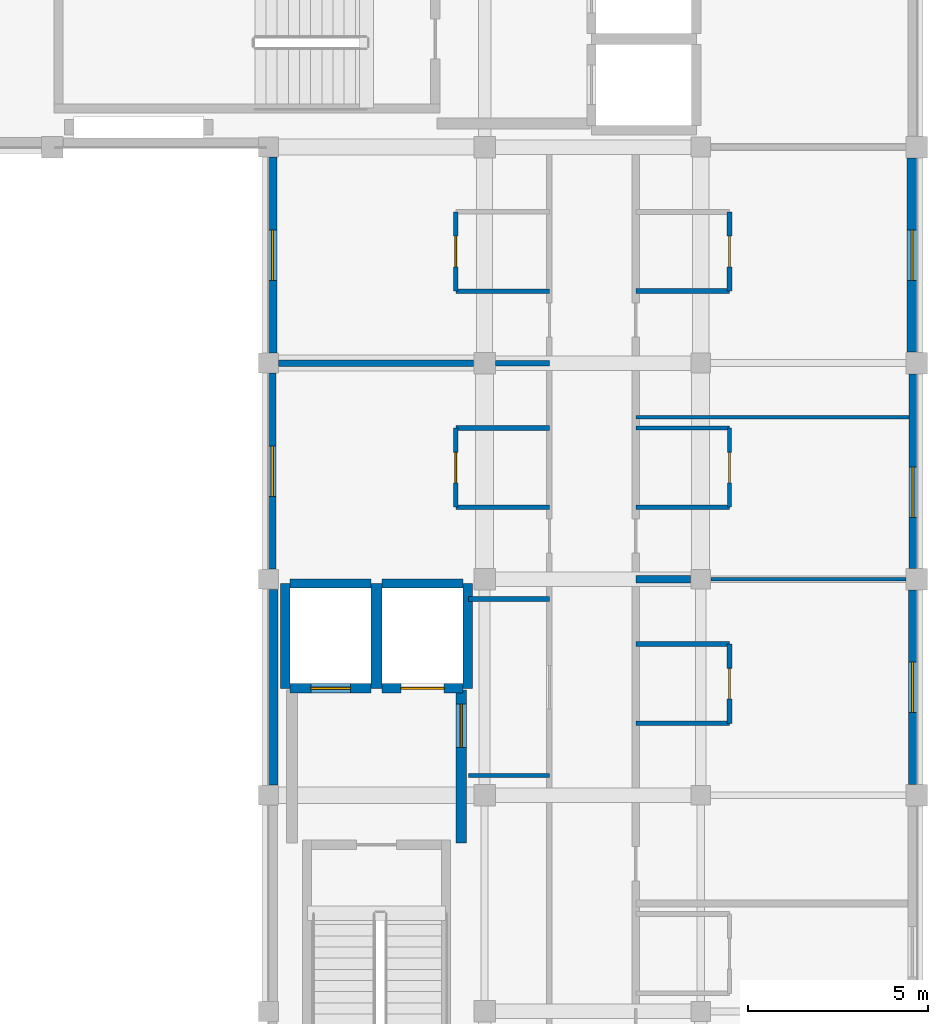
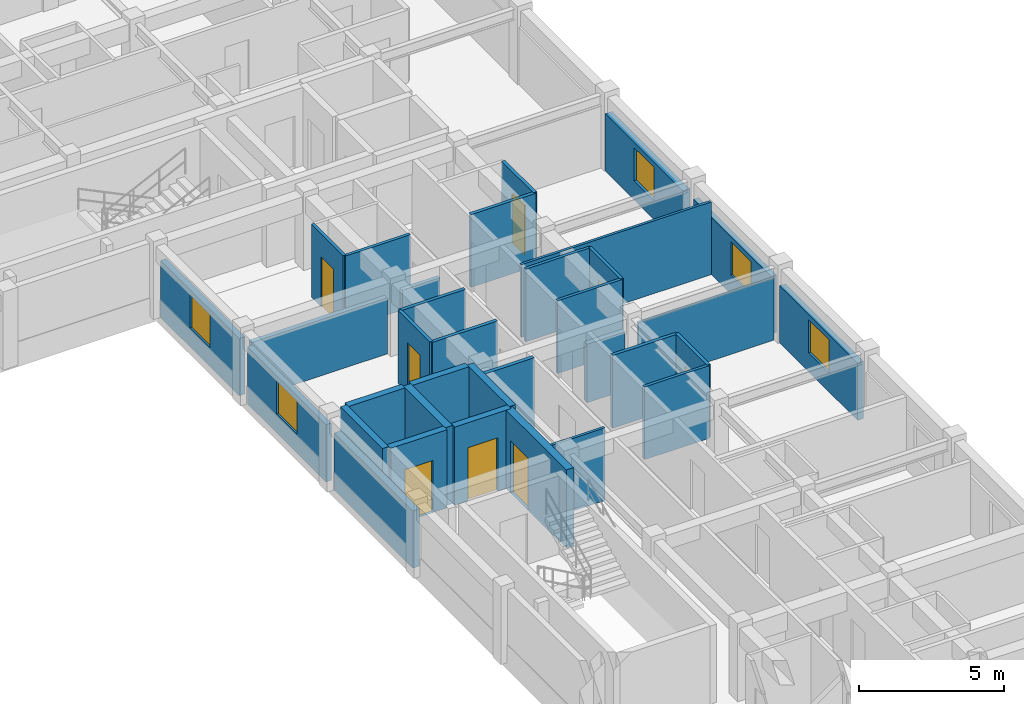
# One storey, part 7 of 21: 34 walls, 8 doors, 5 windows, 13 openings.
"""IFC4 building model written with IfcOpenShell, lengths in metres."""

from ifc_helpers import new_model, si_unit, direction, frame, frame_2d, origin, place, context, subcontext, project, spatial, rectangle, extrude, material, layer, layer_set, type_object, element, fill, save


model = new_model("IFC4")

# Units and contexts
model_context = context("Model", 3, precision=1e-05, world=origin(), true_north=direction((0.0, 1.0)))
body_context = subcontext(model_context, "Body", "Model", "MODEL_VIEW")
ifc_project = project(units=[si_unit("LENGTHUNIT", "METRE"), si_unit("AREAUNIT", "SQUARE_METRE"), si_unit("VOLUMEUNIT", "CUBIC_METRE"), si_unit("PLANEANGLEUNIT", "RADIAN"), si_unit("MASSUNIT", "GRAM", prefix="KILO"), si_unit("THERMODYNAMICTEMPERATUREUNIT", "KELVIN"), si_unit("POWERUNIT", "WATT")], contexts=[model_context])

# Site, building, storey
site_placement = place(None, origin())
site = spatial("IfcSite", under=ifc_project, at=site_placement, CompositionType="ELEMENT")
building_placement = place(site_placement, origin())
building = spatial("IfcBuilding", under=site, at=building_placement, Name="Phaisarnlok Congress Hotel", CompositionType="ELEMENT")
storey_placement = place(building_placement, frame((0.0, 0.0, 34.800048828125)))
storey = spatial("IfcBuildingStorey", under=building, at=storey_placement, Name="L08", CompositionType="ELEMENT", Elevation=34.800048828125)

# Wall, opening, window
ifc_material_1 = material(Name="Concrete C40/50", Category="concrete")
ifc_layer_1 = layer(ifc_material_1, 0.2099609375, Name="Concrete C40/50")
ifc_layer_set_1 = layer_set([ifc_layer_1], Name="Concrete C40/50")
wall_type_1 = type_object("IfcWallType", Name="WL-EXT-210", PredefinedType="SOLIDWALL", material=ifc_layer_set_1)
wall_1_placement = place(storey_placement, frame((179.89501953125, 96.304931640625, 0.0), z_axis=(0.0, 0.0, 1.0), x_axis=(0.0, 1.0, 0.0)))
wall_1 = element("IfcWall", 1, at=wall_1_placement, inside=storey, type_object=wall_type_1, Name="Exterior wall EW-07 (L08)", PredefinedType="SOLIDWALL", context=body_context, shape_type="SweptSolid", body=[
    extrude(rectangle(XDim=5.39013671875, YDim=0.2099609375, at=frame_2d((2.695068359375, 0.0))), origin(), (0.0, 0.0, 1.0), 2.419921875),
])
opening_1_placement = place(wall_1_placement, frame((1.406982421875, 0.0, 0.800048828125)))
opening_1 = element("IfcOpeningElement", 2, at=opening_1_placement, cuts=wall_1, Name="Opening W-13", PredefinedType="OPENING", context=body_context, shape_type="SweptSolid", body=[
    extrude(rectangle(XDim=1.39990234375, YDim=1.39990234375, at=frame_2d((0.699951171875, 0.699951171875))), frame((0.0, 0.114990234375, 0.0), z_axis=(0.0, -1.0, 0.0), x_axis=(1.0, 0.0, 0.0)), (0.0, 0.0, 1.0), 0.22998046875),
])
ifc_material_2 = material(Name="Thermally Broken Aluminium & Low-E Double Glazing", Category="aluminium")
window_type = type_object("IfcWindowType", Name="WIN-POD-1400", PartitioningType="SINGLE_PANEL", PredefinedType="WINDOW", material=ifc_material_2)
window_1_placement = place(opening_1_placement, origin())
window_1 = element("IfcWindow", 3, at=window_1_placement, inside=storey, type_object=window_type, Name="Guestroom window W-13 (L08)", OverallHeight=1.39990234375, OverallWidth=1.39990234375, PartitioningType="SINGLE_PANEL", PredefinedType="WINDOW", context=body_context, shape_type="SweptSolid", body=[
    extrude(rectangle(XDim=1.39990234375, YDim=1.39990234375, at=frame_2d((0.699951171875, 0.699951171875))), frame((0.0, 0.030029296875, 0.0), z_axis=(0.0, -1.0, 0.0), x_axis=(1.0, 0.0, 0.0)), (0.0, 0.0, 1.0), 0.06005859375),
])
fill(opening_1, window_1)

wall_2_placement = place(storey_placement, frame((162.10498046875, 101.719970703125, 0.0), z_axis=(0.0, 0.0, 1.0), x_axis=(0.0, -1.0, 0.0)))
wall_2 = element("IfcWall", 4, at=wall_2_placement, inside=storey, type_object=wall_type_1, Name="Exterior wall EW-07 (L08)", PredefinedType="SOLIDWALL", context=body_context, shape_type="SweptSolid", body=[
    extrude(rectangle(XDim=5.43994140625, YDim=0.2099609375, at=frame_2d((2.719970703125, 0.0))), origin(), (0.0, 0.0, 1.0), 2.419921875),
])
opening_2_placement = place(wall_2_placement, frame((2.02001953125, 0.0, 0.800048828125)))
opening_2 = element("IfcOpeningElement", 5, at=opening_2_placement, cuts=wall_2, Name="Opening W-13", PredefinedType="OPENING", context=body_context, shape_type="SweptSolid", body=[
    extrude(rectangle(XDim=1.39990234375, YDim=1.39990234375, at=frame_2d((0.699951171875, 0.699951171875))), frame((0.0, 0.114990234375, 0.0), z_axis=(0.0, -1.0, 0.0), x_axis=(1.0, 0.0, 0.0)), (0.0, 0.0, 1.0), 0.22998046875),
])
window_2_placement = place(opening_2_placement, origin())
window_2 = element("IfcWindow", 6, at=window_2_placement, inside=storey, type_object=window_type, Name="Guestroom window W-13 (L08)", OverallHeight=1.39990234375, OverallWidth=1.39990234375, PartitioningType="SINGLE_PANEL", PredefinedType="WINDOW", context=body_context, shape_type="SweptSolid", body=[
    extrude(rectangle(XDim=1.39990234375, YDim=1.39990234375, at=frame_2d((0.699951171875, 0.699951171875))), frame((0.0, 0.030029296875, 0.0), z_axis=(0.0, -1.0, 0.0), x_axis=(1.0, 0.0, 0.0)), (0.0, 0.0, 1.0), 0.06005859375),
])
fill(opening_2, window_2)

ifc_layer_2 = layer(ifc_material_1, 0.22998046875, Name="Concrete C40/50")
ifc_layer_set_2 = layer_set([ifc_layer_2], Name="Concrete C40/50")
wall_type_2 = type_object("IfcWallType", Name="WL-EXT-230", PredefinedType="SOLIDWALL", material=ifc_layer_set_2)
wall_3_placement = place(storey_placement, frame((179.885009765625, 90.304931640625, 0.0), z_axis=(0.0, 0.0, 1.0), x_axis=(0.0, 1.0, 0.0)))
wall_3 = element("IfcWall", 7, at=wall_3_placement, inside=storey, type_object=wall_type_2, Name="Exterior wall EW-06 (L08)", PredefinedType="SOLIDWALL", context=body_context, shape_type="SweptSolid", body=[
    extrude(rectangle(XDim=5.39013671875, YDim=0.22998046875, at=frame_2d((2.695068359375, 0.0))), origin(), (0.0, 0.0, 1.0), 2.419921875),
])
opening_3_placement = place(wall_3_placement, frame((1.9951171875, 0.0, 0.800048828125)))
opening_3 = element("IfcOpeningElement", 8, at=opening_3_placement, cuts=wall_3, Name="Opening W-13", PredefinedType="OPENING", context=body_context, shape_type="SweptSolid", body=[
    extrude(rectangle(XDim=1.39990234375, YDim=1.39990234375, at=frame_2d((0.699951171875, 0.699951171875))), frame((0.0, 0.125, 0.0), z_axis=(0.0, -1.0, 0.0), x_axis=(1.0, 0.0, 0.0)), (0.0, 0.0, 1.0), 0.25),
])
window_3_placement = place(opening_3_placement, origin())
window_3 = element("IfcWindow", 9, at=window_3_placement, inside=storey, type_object=window_type, Name="Guestroom window W-13 (L08)", OverallHeight=1.39990234375, OverallWidth=1.39990234375, PartitioningType="SINGLE_PANEL", PredefinedType="WINDOW", context=body_context, shape_type="SweptSolid", body=[
    extrude(rectangle(XDim=1.39990234375, YDim=1.39990234375, at=frame_2d((0.699951171875, 0.699951171875))), frame((0.0, 0.030029296875, 0.0), z_axis=(0.0, -1.0, 0.0), x_axis=(1.0, 0.0, 0.0)), (0.0, 0.0, 1.0), 0.06005859375),
])
fill(opening_3, window_3)

wall_4_placement = place(storey_placement, frame((162.114990234375, 107.719970703125, 0.0), z_axis=(0.0, 0.0, 1.0), x_axis=(0.0, -1.0, 0.0)))
wall_4 = element("IfcWall", 10, at=wall_4_placement, inside=storey, type_object=wall_type_2, Name="Exterior wall EW-06 (L08)", PredefinedType="SOLIDWALL", context=body_context, shape_type="SweptSolid", body=[
    extrude(rectangle(XDim=5.43994140625, YDim=0.22998046875, at=frame_2d((2.719970703125, 0.0))), origin(), (0.0, 0.0, 1.0), 2.419921875),
])
opening_4_placement = place(wall_4_placement, frame((2.02001953125, 0.0, 0.800048828125)))
opening_4 = element("IfcOpeningElement", 11, at=opening_4_placement, cuts=wall_4, Name="Opening W-13", PredefinedType="OPENING", context=body_context, shape_type="SweptSolid", body=[
    extrude(rectangle(XDim=1.39990234375, YDim=1.39990234375, at=frame_2d((0.699951171875, 0.699951171875))), frame((0.0, 0.125, 0.0), z_axis=(0.0, -1.0, 0.0), x_axis=(1.0, 0.0, 0.0)), (0.0, 0.0, 1.0), 0.25),
])
window_4_placement = place(opening_4_placement, origin())
window_4 = element("IfcWindow", 12, at=window_4_placement, inside=storey, type_object=window_type, Name="Guestroom window W-13 (L08)", OverallHeight=1.39990234375, OverallWidth=1.39990234375, PartitioningType="SINGLE_PANEL", PredefinedType="WINDOW", context=body_context, shape_type="SweptSolid", body=[
    extrude(rectangle(XDim=1.39990234375, YDim=1.39990234375, at=frame_2d((0.699951171875, 0.699951171875))), frame((0.0, 0.030029296875, 0.0), z_axis=(0.0, -1.0, 0.0), x_axis=(1.0, 0.0, 0.0)), (0.0, 0.0, 1.0), 0.06005859375),
])
fill(opening_4, window_4)

ifc_layer_3 = layer(ifc_material_1, 0.27001953125, Name="Concrete C40/50")
ifc_layer_set_3 = layer_set([ifc_layer_3], Name="Concrete C40/50")
wall_type_3 = type_object("IfcWallType", Name="WL-EXT-270", PredefinedType="SOLIDWALL", material=ifc_layer_set_3)
wall_5_placement = place(storey_placement, frame((179.864990234375, 102.304931640625, 0.0), z_axis=(0.0, 0.0, 1.0), x_axis=(0.0, 1.0, 0.0)))
wall_5 = element("IfcWall", 13, at=wall_5_placement, inside=storey, type_object=wall_type_3, Name="Exterior wall EW-04 (L08)", PredefinedType="SOLIDWALL", context=body_context, shape_type="SweptSolid", body=[
    extrude(rectangle(XDim=5.39013671875, YDim=0.27001953125, at=frame_2d((2.695068359375, 0.0))), origin(), (0.0, 0.0, 1.0), 2.419921875),
])
opening_5_placement = place(wall_5_placement, frame((1.9951171875, 0.0, 0.800048828125)))
opening_5 = element("IfcOpeningElement", 14, at=opening_5_placement, cuts=wall_5, Name="Opening W-13", PredefinedType="OPENING", context=body_context, shape_type="SweptSolid", body=[
    extrude(rectangle(XDim=1.39990234375, YDim=1.39990234375, at=frame_2d((0.699951171875, 0.699951171875))), frame((0.0, 0.14501953125, 0.0), z_axis=(0.0, -1.0, 0.0), x_axis=(1.0, 0.0, 0.0)), (0.0, 0.0, 1.0), 0.2900390625),
])
window_5_placement = place(opening_5_placement, origin())
window_5 = element("IfcWindow", 15, at=window_5_placement, inside=storey, type_object=window_type, Name="Guestroom window W-13 (L08)", OverallHeight=1.39990234375, OverallWidth=1.39990234375, PartitioningType="SINGLE_PANEL", PredefinedType="WINDOW", context=body_context, shape_type="SweptSolid", body=[
    extrude(rectangle(XDim=1.39990234375, YDim=1.39990234375, at=frame_2d((0.699951171875, 0.699951171875))), frame((0.0, 0.030029296875, 0.0), z_axis=(0.0, -1.0, 0.0), x_axis=(1.0, 0.0, 0.0)), (0.0, 0.0, 1.0), 0.06005859375),
])
fill(opening_5, window_5)

# Walls
wall_6_placement = place(storey_placement, frame((162.135009765625, 95.719970703125, 0.0), z_axis=(0.0, 0.0, 1.0), x_axis=(0.0, -1.0, 0.0)))
element("IfcWall", 16, at=wall_6_placement, inside=storey, type_object=wall_type_3, Name="Exterior wall EW-04 (L08)", PredefinedType="SOLIDWALL", context=body_context, shape_type="SweptSolid", body=[
    extrude(rectangle(XDim=5.43994140625, YDim=0.27001953125, at=frame_2d((2.719970703125, 0.0))), origin(), (0.0, 0.0, 1.0), 2.419921875),
])
ifc_material_3 = material(Name="Service Riser Shaftwall Partition", Category="gypsum")
ifc_layer_4 = layer(ifc_material_3, 0.10498046875, Name="Service Riser Shaftwall Partition")
ifc_layer_set_4 = layer_set([ifc_layer_4], Name="Service Riser Shaftwall Partition")
wall_type_4 = type_object("IfcWallType", Name="WL-INT-105", PredefinedType="PARTITIONING", material=ifc_layer_set_4)
wall_7_placement = place(storey_placement, frame((167.56005859375, 90.550048828125, 0.0), z_axis=(0.0, 0.0, 1.0), x_axis=(1.0, 0.0, 0.0)))
element("IfcWall", 17, at=wall_7_placement, inside=storey, type_object=wall_type_4, Name="Interior partition wall IW-08 (L08)", PredefinedType="PARTITIONING", context=body_context, shape_type="SweptSolid", body=[
    extrude(rectangle(XDim=2.239990234375, YDim=0.10498046875, at=frame_2d((1.1201171875, 0.0))), origin(), (0.0, 0.0, 1.0), 3.070068359375),
])
wall_8_placement = place(storey_placement, frame((174.280029296875, 96.0, 0.0), z_axis=(0.0, 0.0, 1.0), x_axis=(1.0, 0.0, 0.0)))
element("IfcWall", 18, at=wall_8_placement, inside=storey, type_object=wall_type_4, Name="Interior partition wall IW-08 (L08)", PredefinedType="PARTITIONING", context=body_context, shape_type="SweptSolid", body=[
    extrude(rectangle(XDim=5.4150390625, YDim=0.10498046875, at=frame_2d((2.70751953125, 0.0))), origin(), (0.0, 0.0, 1.0), 2.619873046875),
])
wall_9_placement = place(storey_placement, frame((172.199951171875, 100.5, 0.0), z_axis=(0.0, 0.0, 1.0), x_axis=(1.0, 0.0, 0.0)))
element("IfcWall", 19, at=wall_9_placement, inside=storey, type_object=wall_type_4, Name="Interior partition wall IW-08 (L08)", PredefinedType="PARTITIONING", context=body_context, shape_type="SweptSolid", body=[
    extrude(rectangle(XDim=7.5849609375, YDim=0.10498046875, at=frame_2d((3.79248046875, 0.0))), origin(), (0.0, 0.0, 1.0), 3.070068359375),
])

# Wall, opening, door
ifc_material_4 = material(Name="Lightweight Metal-Stud Gypsum Partition", Category="gypsum")
ifc_layer_5 = layer(ifc_material_4, 0.1201171875, Name="Lightweight Metal-Stud Gypsum Partition")
ifc_layer_set_5 = layer_set([ifc_layer_5], Name="Lightweight Metal-Stud Gypsum Partition")
wall_type_5 = type_object("IfcWallType", Name="WL-INT-120", PredefinedType="PARTITIONING", material=ifc_layer_set_5)
wall_10_placement = place(storey_placement, frame((167.199951171875, 104.0, 0.0), z_axis=(0.0, 0.0, 1.0), x_axis=(0.0, 1.0, 0.0)))
wall_10 = element("IfcWall", 20, at=wall_10_placement, inside=storey, type_object=wall_type_5, Name="Interior partition wall IW-07 (L08)", PredefinedType="PARTITIONING", context=body_context, shape_type="SweptSolid", body=[
    extrude(rectangle(XDim=2.199951171875, YDim=0.1201171875, at=frame_2d((1.10009765625, 0.0))), origin(), (0.0, 0.0, 1.0), 3.070068359375),
])
opening_6_placement = place(wall_10_placement, frame((0.675048828125, 0.0, 0.0)))
opening_6 = element("IfcOpeningElement", 21, at=opening_6_placement, cuts=wall_10, Name="Opening D-0484", PredefinedType="OPENING", context=body_context, shape_type="SweptSolid", body=[
    extrude(rectangle(XDim=0.85009765625, YDim=2.10009765625, at=frame_2d((0.425048828125, 1.050048828125))), frame((0.0, 0.070068359375, 0.0), z_axis=(0.0, -1.0, 0.0), x_axis=(1.0, 0.0, 0.0)), (0.0, 0.0, 1.0), 0.14013671875),
])
ifc_material_5 = material(Name="Moisture-Resistant Lacquered Timber", Category="wood")
door_type_1 = type_object("IfcDoorType", Name="DR-BATH-850", OperationType="NOTDEFINED", PredefinedType="DOOR", material=ifc_material_5)
door_1_placement = place(opening_6_placement, origin())
door_1 = element("IfcDoor", 22, at=door_1_placement, inside=storey, type_object=door_type_1, Name="Interior door D-0484 (L08)", OperationType="SINGLE_SWING_LEFT", OverallHeight=2.10009765625, OverallWidth=0.85009765625, PredefinedType="DOOR", context=body_context, shape_type="SweptSolid", body=[
    extrude(rectangle(XDim=0.85009765625, YDim=2.10009765625, at=frame_2d((0.425048828125, 1.050048828125))), frame((0.0, 0.02490234375, 0.0), z_axis=(0.0, -1.0, 0.0), x_axis=(1.0, 0.0, 0.0)), (0.0, 0.0, 1.0), 0.050048828125),
])
fill(opening_6, door_1)

wall_11_placement = place(storey_placement, frame((174.800048828125, 98.0, 0.0), z_axis=(0.0, 0.0, 1.0), x_axis=(0.0, 1.0, 0.0)))
wall_11 = element("IfcWall", 23, at=wall_11_placement, inside=storey, type_object=wall_type_5, Name="Interior partition wall IW-07 (L08)", PredefinedType="PARTITIONING", context=body_context, shape_type="SweptSolid", body=[
    extrude(rectangle(XDim=2.199951171875, YDim=0.1201171875, at=frame_2d((1.10009765625, 0.0))), origin(), (0.0, 0.0, 1.0), 3.070068359375),
])
opening_7_placement = place(wall_11_placement, frame((0.675048828125, 0.0, 0.0)))
opening_7 = element("IfcOpeningElement", 24, at=opening_7_placement, cuts=wall_11, Name="Opening D-0465", PredefinedType="OPENING", context=body_context, shape_type="SweptSolid", body=[
    extrude(rectangle(XDim=0.85009765625, YDim=2.10009765625, at=frame_2d((0.425048828125, 1.050048828125))), frame((0.0, 0.070068359375, 0.0), z_axis=(0.0, -1.0, 0.0), x_axis=(1.0, 0.0, 0.0)), (0.0, 0.0, 1.0), 0.14013671875),
])
door_2_placement = place(opening_7_placement, origin())
door_2 = element("IfcDoor", 25, at=door_2_placement, inside=storey, type_object=door_type_1, Name="Interior door D-0465 (L08)", OperationType="SINGLE_SWING_RIGHT", OverallHeight=2.10009765625, OverallWidth=0.85009765625, PredefinedType="DOOR", context=body_context, shape_type="SweptSolid", body=[
    extrude(rectangle(XDim=0.85009765625, YDim=2.10009765625, at=frame_2d((0.425048828125, 1.050048828125))), frame((0.0, 0.02490234375, 0.0), z_axis=(0.0, -1.0, 0.0), x_axis=(1.0, 0.0, 0.0)), (0.0, 0.0, 1.0), 0.050048828125),
])
fill(opening_7, door_2)

# Walls
for number, where, z_axis, x_axis, name in (
    (26, (172.199951171875, 92.0, 0.0), (0.0, 0.0, 1.0), (1.0, 0.0, 0.0), "Interior partition wall IW-07 (L08)"),
    (27, (172.199951171875, 98.0, 0.0), (0.0, 0.0, 1.0), (1.0, 0.0, 0.0), "Interior partition wall IW-07 (L08)"),
    (28, (172.199951171875, 100.199951171875, 0.0), (0.0, 0.0, 1.0), (1.0, 0.0, 0.0), "Interior partition wall IW-07 (L08)"),
    (29, (167.199951171875, 104.0, 0.0), (0.0, 0.0, 1.0), (1.0, 0.0, 0.0), "Interior partition wall IW-07 (L08)"),
):
    element("IfcWall", number, at=place(storey_placement, frame(where, z_axis=z_axis, x_axis=x_axis)), inside=storey, type_object=wall_type_5, Name=name, PredefinedType="PARTITIONING", context=body_context, shape_type="SweptSolid", body=[
        extrude(rectangle(XDim=2.60009765625, YDim=0.1201171875, at=frame_2d((1.300048828125, 0.0))), origin(), (0.0, 0.0, 1.0), 3.070068359375),
    ])

# Wall, opening, door
ifc_material_6 = material(Name="Moisture-Resistant Gypsum Partition", Category="gypsum")
ifc_layer_6 = layer(ifc_material_6, 0.135009765625, Name="Moisture-Resistant Gypsum Partition")
ifc_layer_set_6 = layer_set([ifc_layer_6], Name="Moisture-Resistant Gypsum Partition")
wall_type_6 = type_object("IfcWallType", Name="WL-INT-135", PredefinedType="PARTITIONING", material=ifc_layer_set_6)
wall_12_placement = place(storey_placement, frame((167.199951171875, 98.0, 0.0), z_axis=(0.0, 0.0, 1.0), x_axis=(0.0, 1.0, 0.0)))
wall_12 = element("IfcWall", 30, at=wall_12_placement, inside=storey, type_object=wall_type_6, Name="Interior partition wall IW-06 (L08)", PredefinedType="PARTITIONING", context=body_context, shape_type="SweptSolid", body=[
    extrude(rectangle(XDim=2.199951171875, YDim=0.135009765625, at=frame_2d((1.10009765625, 0.0))), origin(), (0.0, 0.0, 1.0), 3.070068359375),
])
opening_8_placement = place(wall_12_placement, frame((0.675048828125, 0.0, 0.0)))
opening_8 = element("IfcOpeningElement", 31, at=opening_8_placement, cuts=wall_12, Name="Opening D-0482", PredefinedType="OPENING", context=body_context, shape_type="SweptSolid", body=[
    extrude(rectangle(XDim=0.85009765625, YDim=2.10009765625, at=frame_2d((0.425048828125, 1.050048828125))), frame((0.0, 0.07763671875, 0.0), z_axis=(0.0, -1.0, 0.0), x_axis=(1.0, 0.0, 0.0)), (0.0, 0.0, 1.0), 0.155029296875),
])
door_3_placement = place(opening_8_placement, origin())
door_3 = element("IfcDoor", 32, at=door_3_placement, inside=storey, type_object=door_type_1, Name="Interior door D-0482 (L08)", OperationType="SINGLE_SWING_LEFT", OverallHeight=2.10009765625, OverallWidth=0.85009765625, PredefinedType="DOOR", context=body_context, shape_type="SweptSolid", body=[
    extrude(rectangle(XDim=0.85009765625, YDim=2.10009765625, at=frame_2d((0.425048828125, 1.050048828125))), frame((0.0, 0.02490234375, 0.0), z_axis=(0.0, -1.0, 0.0), x_axis=(1.0, 0.0, 0.0)), (0.0, 0.0, 1.0), 0.050048828125),
])
fill(opening_8, door_3)

wall_13_placement = place(storey_placement, frame((174.800048828125, 92.0, 0.0), z_axis=(0.0, 0.0, 1.0), x_axis=(0.0, 1.0, 0.0)))
wall_13 = element("IfcWall", 33, at=wall_13_placement, inside=storey, type_object=wall_type_6, Name="Interior partition wall IW-06 (L08)", PredefinedType="PARTITIONING", context=body_context, shape_type="SweptSolid", body=[
    extrude(rectangle(XDim=2.199951171875, YDim=0.135009765625, at=frame_2d((1.10009765625, 0.0))), origin(), (0.0, 0.0, 1.0), 3.070068359375),
])
opening_9_placement = place(wall_13_placement, frame((0.675048828125, 0.0, 0.0)))
opening_9 = element("IfcOpeningElement", 34, at=opening_9_placement, cuts=wall_13, Name="Opening D-0463", PredefinedType="OPENING", context=body_context, shape_type="SweptSolid", body=[
    extrude(rectangle(XDim=0.85009765625, YDim=2.10009765625, at=frame_2d((0.425048828125, 1.050048828125))), frame((0.0, 0.07763671875, 0.0), z_axis=(0.0, -1.0, 0.0), x_axis=(1.0, 0.0, 0.0)), (0.0, 0.0, 1.0), 0.155029296875),
])
door_4_placement = place(opening_9_placement, origin())
door_4 = element("IfcDoor", 35, at=door_4_placement, inside=storey, type_object=door_type_1, Name="Interior door D-0463 (L08)", OperationType="SINGLE_SWING_RIGHT", OverallHeight=2.10009765625, OverallWidth=0.85009765625, PredefinedType="DOOR", context=body_context, shape_type="SweptSolid", body=[
    extrude(rectangle(XDim=0.85009765625, YDim=2.10009765625, at=frame_2d((0.425048828125, 1.050048828125))), frame((0.0, 0.02490234375, 0.0), z_axis=(0.0, -1.0, 0.0), x_axis=(1.0, 0.0, 0.0)), (0.0, 0.0, 1.0), 0.050048828125),
])
fill(opening_9, door_4)

wall_14_placement = place(storey_placement, frame((174.800048828125, 104.0, 0.0), z_axis=(0.0, 0.0, 1.0), x_axis=(0.0, 1.0, 0.0)))
wall_14 = element("IfcWall", 36, at=wall_14_placement, inside=storey, type_object=wall_type_6, Name="Interior partition wall IW-06 (L08)", PredefinedType="PARTITIONING", context=body_context, shape_type="SweptSolid", body=[
    extrude(rectangle(XDim=2.199951171875, YDim=0.135009765625, at=frame_2d((1.10009765625, 0.0))), origin(), (0.0, 0.0, 1.0), 3.070068359375),
])
opening_10_placement = place(wall_14_placement, frame((0.675048828125, 0.0, 0.0)))
opening_10 = element("IfcOpeningElement", 37, at=opening_10_placement, cuts=wall_14, Name="Opening D-0467", PredefinedType="OPENING", context=body_context, shape_type="SweptSolid", body=[
    extrude(rectangle(XDim=0.85009765625, YDim=2.10009765625, at=frame_2d((0.425048828125, 1.050048828125))), frame((0.0, 0.07763671875, 0.0), z_axis=(0.0, -1.0, 0.0), x_axis=(1.0, 0.0, 0.0)), (0.0, 0.0, 1.0), 0.155029296875),
])
door_5_placement = place(opening_10_placement, origin())
door_5 = element("IfcDoor", 38, at=door_5_placement, inside=storey, type_object=door_type_1, Name="Interior door D-0467 (L08)", OperationType="SINGLE_SWING_RIGHT", OverallHeight=2.10009765625, OverallWidth=0.85009765625, PredefinedType="DOOR", context=body_context, shape_type="SweptSolid", body=[
    extrude(rectangle(XDim=0.85009765625, YDim=2.10009765625, at=frame_2d((0.425048828125, 1.050048828125))), frame((0.0, 0.02490234375, 0.0), z_axis=(0.0, -1.0, 0.0), x_axis=(1.0, 0.0, 0.0)), (0.0, 0.0, 1.0), 0.050048828125),
])
fill(opening_10, door_5)

# Walls
for number, where, z_axis, x_axis, name in (
    (39, (172.199951171875, 94.199951171875, 0.0), (0.0, 0.0, 1.0), (1.0, 0.0, 0.0), "Interior partition wall IW-06 (L08)"),
    (40, (167.199951171875, 98.0, 0.0), (0.0, 0.0, 1.0), (1.0, 0.0, 0.0), "Interior partition wall IW-06 (L08)"),
    (41, (167.199951171875, 100.199951171875, 0.0), (0.0, 0.0, 1.0), (1.0, 0.0, 0.0), "Interior partition wall IW-06 (L08)"),
    (42, (172.199951171875, 104.0, 0.0), (0.0, 0.0, 1.0), (1.0, 0.0, 0.0), "Interior partition wall IW-06 (L08)"),
):
    element("IfcWall", number, at=place(storey_placement, frame(where, z_axis=z_axis, x_axis=x_axis)), inside=storey, type_object=wall_type_6, Name=name, PredefinedType="PARTITIONING", context=body_context, shape_type="SweptSolid", body=[
        extrude(rectangle(XDim=2.60009765625, YDim=0.135009765625, at=frame_2d((1.300048828125, 0.0))), origin(), (0.0, 0.0, 1.0), 3.070068359375),
    ])
ifc_material_7 = material(Name="Acoustic Gypsum Board & Mineral Wool", Category="gypsum")
ifc_layer_7 = layer(ifc_material_7, 0.14990234375, Name="Acoustic Gypsum Board & Mineral Wool")
ifc_layer_set_7 = layer_set([ifc_layer_7], Name="Acoustic Gypsum Board & Mineral Wool")
wall_type_7 = type_object("IfcWallType", Name="WL-INT-150", PredefinedType="PARTITIONING", material=ifc_layer_set_7)
wall_15_placement = place(storey_placement, frame((167.56005859375, 95.449951171875, 0.0), z_axis=(0.0, 0.0, 1.0), x_axis=(1.0, 0.0, 0.0)))
element("IfcWall", 43, at=wall_15_placement, inside=storey, type_object=wall_type_7, Name="Interior partition wall IW-05 (L08)", PredefinedType="PARTITIONING", context=body_context, shape_type="SweptSolid", body=[
    extrude(rectangle(XDim=2.239990234375, YDim=0.14990234375, at=frame_2d((1.1201171875, 0.0))), origin(), (0.0, 0.0, 1.0), 3.070068359375),
])
ifc_material_8 = material(Name="Double-Stud Acoustic Gypsum Partition", Category="gypsum")
ifc_layer_8 = layer(ifc_material_8, 0.159912109375, Name="Double-Stud Acoustic Gypsum Partition")
ifc_layer_set_8 = layer_set([ifc_layer_8], Name="Double-Stud Acoustic Gypsum Partition")
wall_type_8 = type_object("IfcWallType", Name="WL-INT-160", PredefinedType="PARTITIONING", material=ifc_layer_set_8)
wall_16_placement = place(storey_placement, frame((168.304931640625, 102.0, 0.0), z_axis=(0.0, 0.0, 1.0), x_axis=(1.0, 0.0, 0.0)))
element("IfcWall", 44, at=wall_16_placement, inside=storey, type_object=wall_type_8, Name="Interior partition wall IW-04 (L08)", PredefinedType="PARTITIONING", context=body_context, shape_type="SweptSolid", body=[
    extrude(rectangle(XDim=1.4951171875, YDim=0.159912109375, at=frame_2d((0.74755859375, 0.0))), origin(), (0.0, 0.0, 1.0), 2.469970703125),
])
ifc_material_9 = material(Name="Autoclaved Aerated Concrete Block", Category="concrete")
ifc_layer_9 = layer(ifc_material_9, 0.179931640625, Name="Autoclaved Aerated Concrete Block")
ifc_layer_set_9 = layer_set([ifc_layer_9], Name="Autoclaved Aerated Concrete Block")
wall_type_9 = type_object("IfcWallType", Name="WL-INT-180", PredefinedType="PARTITIONING", material=ifc_layer_set_9)
wall_17_placement = place(storey_placement, frame((162.280029296875, 102.0, 0.0), z_axis=(0.0, 0.0, 1.0), x_axis=(1.0, 0.0, 0.0)))
element("IfcWall", 45, at=wall_17_placement, inside=storey, type_object=wall_type_9, Name="Interior partition wall IW-03 (L08)", PredefinedType="PARTITIONING", context=body_context, shape_type="SweptSolid", body=[
    extrude(rectangle(XDim=5.4150390625, YDim=0.179931640625, at=frame_2d((2.70751953125, 0.0))), origin(), (0.0, 0.0, 1.0), 2.369873046875),
])
ifc_layer_10 = layer(ifc_material_9, 0.199951171875, Name="Autoclaved Aerated Concrete Block")
ifc_layer_set_10 = layer_set([ifc_layer_10], Name="Autoclaved Aerated Concrete Block")
wall_type_10 = type_object("IfcWallType", Name="WL-INT-200", PredefinedType="PARTITIONING", material=ifc_layer_set_10)
wall_18_placement = place(storey_placement, frame((172.199951171875, 96.0, 0.0), z_axis=(0.0, 0.0, 1.0), x_axis=(1.0, 0.0, 0.0)))
element("IfcWall", 46, at=wall_18_placement, inside=storey, type_object=wall_type_10, Name="Interior partition wall IW-02 (L08)", PredefinedType="PARTITIONING", context=body_context, shape_type="SweptSolid", body=[
    extrude(rectangle(XDim=1.52001953125, YDim=0.199951171875, at=frame_2d((0.760009765625, 0.0))), origin(), (0.0, 0.0, 1.0), 2.469970703125),
])
ifc_material_10 = material(Name="Concrete C50/60", Category="concrete")
ifc_layer_11 = layer(ifc_material_10, 0.260009765625, Name="Concrete C50/60")
ifc_layer_set_11 = layer_set([ifc_layer_11], Name="Concrete C50/60")
wall_type_11 = type_object("IfcWallType", Name="WL-SHR-260", PredefinedType="SHEAR", material=ifc_layer_set_11)
wall_19_placement = place(storey_placement, frame((162.469970703125, 92.969970703125, 0.0), z_axis=(0.0, 0.0, 1.0), x_axis=(0.0, 1.0, 0.0)))
element("IfcWall", 47, at=wall_19_placement, inside=storey, type_object=wall_type_11, Name="Lift shaft shear wall SW-04 (LF-HP3 L08)", PredefinedType="SHEAR", context=body_context, shape_type="SweptSolid", body=[
    extrude(rectangle(XDim=2.909912109375, YDim=0.260009765625, at=frame_2d((1.455078125, 0.0))), origin(), (0.0, 0.0, 1.0), 3.300048828125),
])
wall_20_placement = place(storey_placement, frame((162.60009765625, 95.8798828125, 0.0), z_axis=(0.0, 0.0, 1.0), x_axis=(1.0, 0.0, 0.0)))
element("IfcWall", 48, at=wall_20_placement, inside=storey, type_object=wall_type_11, Name="Lift shaft shear wall SW-04 (LF-HP3 L08)", PredefinedType="SHEAR", context=body_context, shape_type="SweptSolid", body=[
    extrude(rectangle(XDim=2.25, YDim=0.260009765625, at=frame_2d((1.125, 0.0))), origin(), (0.0, 0.0, 1.0), 3.300048828125),
])

# Wall, opening, door
wall_21_placement = place(storey_placement, frame((162.60009765625, 92.969970703125, 0.0), z_axis=(0.0, 0.0, 1.0), x_axis=(1.0, 0.0, 0.0)))
wall_21 = element("IfcWall", 49, at=wall_21_placement, inside=storey, type_object=wall_type_11, Name="Lift shaft front wall SW-04 (LF-HP3 L08)", PredefinedType="SHEAR", context=body_context, shape_type="SweptSolid", body=[
    extrude(rectangle(XDim=2.25, YDim=0.260009765625, at=frame_2d((1.125, 0.0))), origin(), (0.0, 0.0, 1.0), 3.300048828125),
])
opening_11_placement = place(wall_21_placement, frame((0.574951171875, 0.0, 0.0)))
opening_11 = element("IfcOpeningElement", 50, at=opening_11_placement, cuts=wall_21, Name="Opening LD-070", PredefinedType="OPENING", context=body_context, shape_type="SweptSolid", body=[
    extrude(rectangle(XDim=1.10009765625, YDim=2.199951171875, at=frame_2d((0.550048828125, 1.10009765625))), frame((0.0, 0.14013671875, 0.0), z_axis=(0.0, -1.0, 0.0), x_axis=(1.0, 0.0, 0.0)), (0.0, 0.0, 1.0), 0.280029296875),
])
ifc_material_11 = material(Name="Brushed Stainless Steel Grade 304", Category="steel")
door_type_2 = type_object("IfcDoorType", Name="DR-LD-1100", OperationType="DOUBLE_DOOR_SLIDING", PredefinedType="DOOR", material=ifc_material_11)
door_6_placement = place(opening_11_placement, origin())
door_6 = element("IfcDoor", 51, at=door_6_placement, inside=storey, type_object=door_type_2, Name="Lift landing sliding door LD-070 (LF-HP3 L08)", OperationType="DOUBLE_DOOR_SLIDING", OverallHeight=2.199951171875, OverallWidth=1.10009765625, PredefinedType="DOOR", context=body_context, shape_type="SweptSolid", body=[
    extrude(rectangle(XDim=1.10009765625, YDim=2.199951171875, at=frame_2d((0.550048828125, 1.10009765625))), frame((0.0, 0.02490234375, 0.0), z_axis=(0.0, -1.0, 0.0), x_axis=(1.0, 0.0, 0.0)), (0.0, 0.0, 1.0), 0.050048828125),
])
fill(opening_11, door_6)

# Walls
wall_22_placement = place(storey_placement, frame((167.530029296875, 92.969970703125, 0.0), z_axis=(0.0, 0.0, 1.0), x_axis=(0.0, 1.0, 0.0)))
element("IfcWall", 52, at=wall_22_placement, inside=storey, type_object=wall_type_11, Name="Lift shaft shear wall SW-04 (LF-SV1 L08)", PredefinedType="SHEAR", context=body_context, shape_type="SweptSolid", body=[
    extrude(rectangle(XDim=2.909912109375, YDim=0.260009765625, at=frame_2d((1.455078125, 0.0))), origin(), (0.0, 0.0, 1.0), 3.300048828125),
])
wall_23_placement = place(storey_placement, frame((165.14990234375, 95.8798828125, 0.0), z_axis=(0.0, 0.0, 1.0), x_axis=(1.0, 0.0, 0.0)))
element("IfcWall", 53, at=wall_23_placement, inside=storey, type_object=wall_type_11, Name="Lift shaft shear wall SW-04 (LF-SV1 L08)", PredefinedType="SHEAR", context=body_context, shape_type="SweptSolid", body=[
    extrude(rectangle(XDim=2.25, YDim=0.260009765625, at=frame_2d((1.125, 0.0))), origin(), (0.0, 0.0, 1.0), 3.300048828125),
])

# Wall, opening, door
wall_24_placement = place(storey_placement, frame((165.14990234375, 92.969970703125, 0.0), z_axis=(0.0, 0.0, 1.0), x_axis=(1.0, 0.0, 0.0)))
wall_24 = element("IfcWall", 54, at=wall_24_placement, inside=storey, type_object=wall_type_11, Name="Lift shaft front wall SW-04 (LF-SV1 L08)", PredefinedType="SHEAR", context=body_context, shape_type="SweptSolid", body=[
    extrude(rectangle(XDim=2.25, YDim=0.260009765625, at=frame_2d((1.125, 0.0))), origin(), (0.0, 0.0, 1.0), 3.300048828125),
])
opening_12_placement = place(wall_24_placement, frame((0.52490234375, 0.0, 0.0)))
opening_12 = element("IfcOpeningElement", 55, at=opening_12_placement, cuts=wall_24, Name="Opening LD-085", PredefinedType="OPENING", context=body_context, shape_type="SweptSolid", body=[
    extrude(rectangle(XDim=1.199951171875, YDim=2.25, at=frame_2d((0.60009765625, 1.125))), frame((0.0, 0.14013671875, 0.0), z_axis=(0.0, -1.0, 0.0), x_axis=(1.0, 0.0, 0.0)), (0.0, 0.0, 1.0), 0.280029296875),
])
door_type_3 = type_object("IfcDoorType", Name="DR-LD-1200", OperationType="DOUBLE_DOOR_SLIDING", PredefinedType="DOOR", material=ifc_material_11)
door_7_placement = place(opening_12_placement, origin())
door_7 = element("IfcDoor", 56, at=door_7_placement, inside=storey, type_object=door_type_3, Name="Lift landing sliding door LD-085 (LF-SV1 L08)", OperationType="DOUBLE_DOOR_SLIDING", OverallHeight=2.25, OverallWidth=1.199951171875, PredefinedType="DOOR", context=body_context, shape_type="SweptSolid", body=[
    extrude(rectangle(XDim=1.199951171875, YDim=2.25, at=frame_2d((0.60009765625, 1.125))), frame((0.0, 0.02490234375, 0.0), z_axis=(0.0, -1.0, 0.0), x_axis=(1.0, 0.0, 0.0)), (0.0, 0.0, 1.0), 0.050048828125),
])
fill(opening_12, door_7)

# Wall
ifc_layer_12 = layer(ifc_material_10, 0.300048828125, Name="Concrete C50/60")
ifc_layer_set_12 = layer_set([ifc_layer_12], Name="Concrete C50/60")
wall_type_12 = type_object("IfcWallType", Name="WL-SHR-300", PredefinedType="SHEAR", material=ifc_layer_set_12)
wall_25_placement = place(storey_placement, frame((165.0, 92.969970703125, 0.0), z_axis=(0.0, 0.0, 1.0), x_axis=(0.0, 1.0, 0.0)))
element("IfcWall", 57, at=wall_25_placement, inside=storey, type_object=wall_type_12, Name="Lift shaft divider shear wall SW-03 (LF-HP3 L08)", PredefinedType="SHEAR", context=body_context, shape_type="SweptSolid", body=[
    extrude(rectangle(XDim=2.909912109375, YDim=0.300048828125, at=frame_2d((1.455078125, 0.0))), origin(), (0.0, 0.0, 1.0), 3.300048828125),
])

# Wall, opening, door
wall_26_placement = place(storey_placement, frame((167.35009765625, 88.679931640625, 0.0), z_axis=(0.0, 0.0, 1.0), x_axis=(0.0, 1.0, 0.0)))
wall_26 = element("IfcWall", 58, at=wall_26_placement, inside=storey, type_object=wall_type_12, Name="Core lobby EI-120 wall SW-03 (CORE-3 L08)", PredefinedType="SHEAR", context=body_context, shape_type="SweptSolid", body=[
    extrude(rectangle(XDim=4.239990234375, YDim=0.300048828125, at=frame_2d((2.1201171875, 0.0))), origin(), (0.0, 0.0, 1.0), 3.300048828125),
])
opening_13_placement = place(wall_26_placement, frame((2.64990234375, 0.0, 0.0)))
opening_13 = element("IfcOpeningElement", 59, at=opening_13_placement, cuts=wall_26, Name="Opening FD-085", PredefinedType="OPENING", context=body_context, shape_type="SweptSolid", body=[
    extrude(rectangle(XDim=1.199951171875, YDim=2.199951171875, at=frame_2d((0.60009765625, 1.10009765625))), frame((0.0, 0.16015625, 0.0), z_axis=(0.0, -1.0, 0.0), x_axis=(1.0, 0.0, 0.0)), (0.0, 0.0, 1.0), 0.320068359375),
])
ifc_material_12 = material(Name="Fire-Rated Steel Frame & Timber Leaf", Category="steel")
door_type_4 = type_object("IfcDoorType", Name="DR-FD60-1200", OperationType="NOTDEFINED", PredefinedType="DOOR", material=ifc_material_12)
door_8_placement = place(opening_13_placement, origin())
door_8 = element("IfcDoor", 60, at=door_8_placement, inside=storey, type_object=door_type_4, Name="Core lobby entrance door FD-085 (CORE-3 L08)", OperationType="SINGLE_SWING_RIGHT", OverallHeight=2.199951171875, OverallWidth=1.199951171875, PredefinedType="DOOR", context=body_context, shape_type="SweptSolid", body=[
    extrude(rectangle(XDim=1.199951171875, YDim=2.199951171875, at=frame_2d((0.60009765625, 1.10009765625))), frame((0.0, 0.02490234375, 0.0), z_axis=(0.0, -1.0, 0.0), x_axis=(1.0, 0.0, 0.0)), (0.0, 0.0, 1.0), 0.050048828125),
])
fill(opening_13, door_8)

save(model, "model.ifc")
